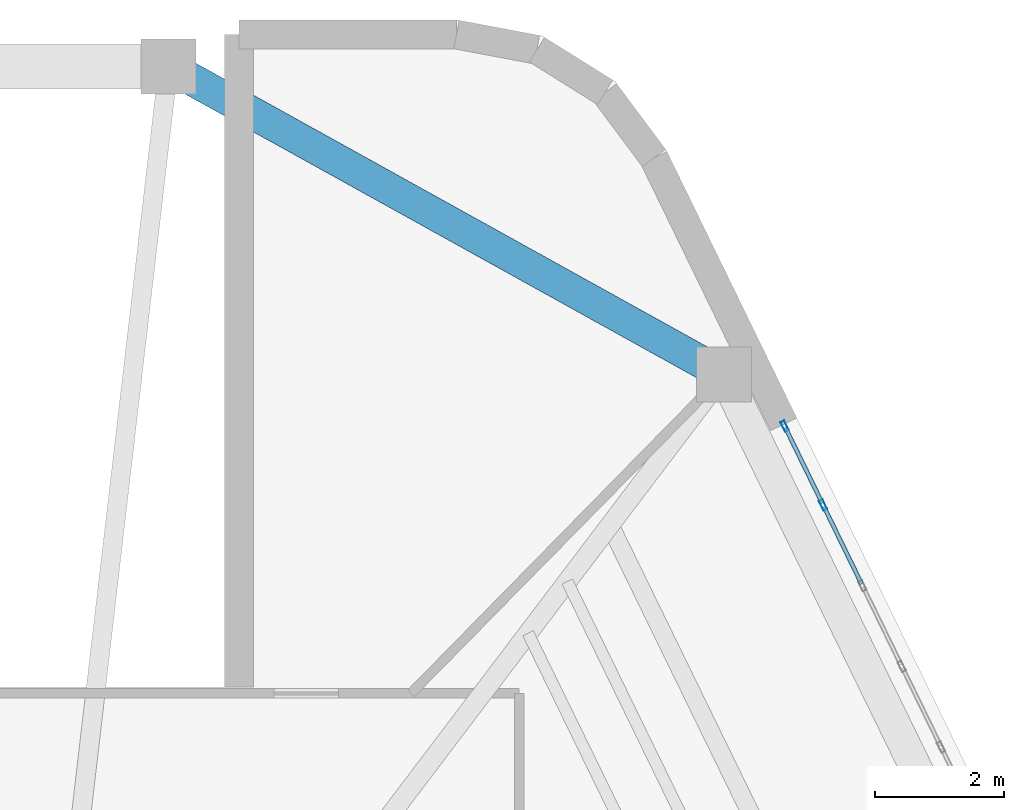
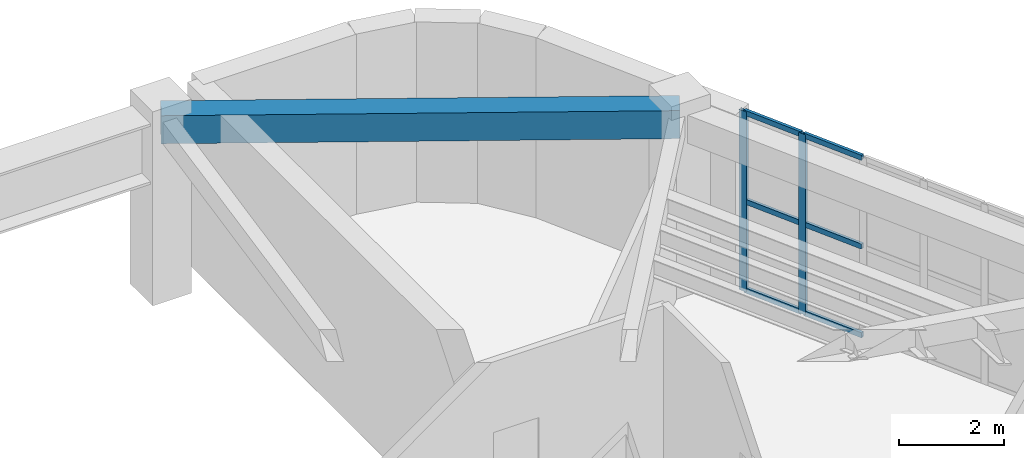
# One storey, part 9 of 15: 8 members, 1 beam, 1 element without a shape of its own.
"""IFC4 building model written with IfcOpenShell, lengths in metres."""

from ifc_helpers import new_model, si_unit, direction, frame, origin, origin_2d, place, context, subcontext, project, spatial, rectangle, hollow_rectangle, extrude, material, layer, layer_set, material_profile, profile_set, type_object, element, aggregate, save


model = new_model("IFC4")

# Units and contexts
model_context = context("Model", 3, precision=1e-05, world=origin(), true_north=direction((0.0, 1.0)))
body_context = subcontext(model_context, "Body", "Model", "MODEL_VIEW")
ifc_project = project(units=[si_unit("LENGTHUNIT", "METRE"), si_unit("AREAUNIT", "SQUARE_METRE"), si_unit("VOLUMEUNIT", "CUBIC_METRE"), si_unit("PLANEANGLEUNIT", "RADIAN"), si_unit("MASSUNIT", "GRAM", prefix="KILO")], contexts=[model_context])

# Site, building, storey
site_placement = place(None, origin())
site = spatial("IfcSite", under=ifc_project, at=site_placement, CompositionType="ELEMENT")
building_placement = place(site_placement, origin())
building = spatial("IfcBuilding", under=site, at=building_placement, Name="Kilnhurst Terrace Hotel", CompositionType="ELEMENT")
storey_placement = place(building_placement, frame((0.0, 0.0, 293.10009765625)))
storey = spatial("IfcBuildingStorey", under=building, at=storey_placement, Name="L73", CompositionType="ELEMENT", Elevation=293.10009765625)

# Beam
ifc_material_1 = material(Name="Concrete C50/60", Category="concrete")
ifc_material_profile_1 = material_profile(ifc_material_1, rectangle(XDim=0.5, YDim=0.64990234375, at=origin_2d()), Name="RC500X650")
ifc_profile_set_1 = profile_set([ifc_material_profile_1], Name="Concrete C50/60")
beam_type = type_object("IfcBeamType", Name="BM-SPN-500X650", PredefinedType="SPANDREL", material=ifc_profile_set_1)
beam_placement = place(storey_placement, frame((14.531005859375, 14.798095703125, 3.85498046875), z_axis=(-0.874527255888, 0.484976369227, 0.0), x_axis=(-0.484976369227, -0.874527255888, 0.0)))
element("IfcBeam", 1, at=beam_placement, inside=storey, type_object=beam_type, Name="L73 Perimeter Spandrel Beam 6", PredefinedType="SPANDREL", context=body_context, shape_type="SweptSolid", body=[
    extrude(rectangle(XDim=0.5, YDim=0.64990234375, at=origin_2d()), origin(), (0.0, 0.0, 1.0), 9.8603515625),
])

# Curtain wall, members
ifc_material_2 = material(Name="Anodized Aluminium Alloy 6063-T6 and Low-E Glass", Category="aluminium")
ifc_layer = layer(ifc_material_2, 0.219970703125, Name="Anodized Aluminium Alloy 6063-T6 and Low-E Glass")
ifc_layer_set = layer_set([ifc_layer], Name="Anodized Aluminium Alloy 6063-T6 and Low-E Glass")
curtain_wall_type = type_object("IfcCurtainWallType", Name="CW-PORTAL-L72", PredefinedType="NOTDEFINED", material=ifc_layer_set)
curtain_wall_placement = place(storey_placement, origin())
curtain_wall = element("IfcCurtainWall", 2, at=curtain_wall_placement, inside=storey, type_object=curtain_wall_type, Name="L73 Curtain Wall CW-L73-F3-1", PredefinedType="NOTDEFINED")
ifc_material_3 = material(Name="Extruded Aluminium Alloy 6063-T6", Category="aluminium")
ifc_material_profile_2 = material_profile(ifc_material_3, hollow_rectangle(XDim=0.06494140625, YDim=0.1650390625, WallThickness=0.00341796875, at=origin_2d()), Name="CWM65X165")
ifc_profile_set_2 = profile_set([ifc_material_profile_2], Name="Extruded Aluminium Alloy 6063-T6")
member_type_1 = type_object("IfcMemberType", Name="MEM-CWM65X165", PredefinedType="MULLION", material=ifc_profile_set_2)
member_1_placement = place(storey_placement, frame((16.068115234375, 12.7734375, 0.0), z_axis=(0.0, 0.0, 1.0), x_axis=(-0.898911852101, -0.438129526683, 0.0)))
member_1 = element("IfcMember", 3, at=member_1_placement, type_object=member_type_1, Name="CWP-5 mullion 6", PredefinedType="MULLION", context=body_context, shape_type="SweptSolid", body=[
    extrude(hollow_rectangle(XDim=0.06494140625, YDim=0.1650390625, WallThickness=0.00341796875, at=origin_2d()), origin(), (0.0, 0.0, 1.0), 4.179931640625),
])
member_2_placement = place(storey_placement, frame((15.471923828125, 13.996826171875, 0.0), z_axis=(0.0, 0.0, 1.0), x_axis=(-0.898911852101, -0.438129526683, 0.0)))
member_2 = element("IfcMember", 4, at=member_2_placement, type_object=member_type_1, Name="CWP-5 mullion 7", PredefinedType="MULLION", context=body_context, shape_type="SweptSolid", body=[
    extrude(hollow_rectangle(XDim=0.06494140625, YDim=0.1650390625, WallThickness=0.00341796875, at=origin_2d()), origin(), (0.0, 0.0, 1.0), 4.179931640625),
])
ifc_material_profile_3 = material_profile(ifc_material_3, hollow_rectangle(XDim=0.06494140625, YDim=0.1201171875, WallThickness=0.00341796875, at=origin_2d()), Name="CWT65X120")
ifc_profile_set_3 = profile_set([ifc_material_profile_3], Name="Extruded Aluminium Alloy 6063-T6")
member_type_2 = type_object("IfcMemberType", Name="MEM-CWT65X120", PredefinedType="USERDEFINED", material=ifc_profile_set_3)
member_3_placement = place(storey_placement, frame((16.664306640625, 11.550048828125, 0.032470703125), z_axis=(-0.43814841658, 0.898902644922, 0.0), x_axis=(-0.898902644922, -0.43814841658, 0.0)))
member_3 = element("IfcMember", 5, at=member_3_placement, type_object=member_type_2, Name="CWP-5 transom 5.1", ObjectType="TRANSOM", PredefinedType="USERDEFINED", context=body_context, shape_type="SweptSolid", body=[
    extrude(hollow_rectangle(XDim=0.06494140625, YDim=0.1201171875, WallThickness=0.00341796875, at=origin_2d()), origin(), (0.0, 0.0, 1.0), 1.328369140625),
])
member_4_placement = place(storey_placement, frame((16.664306640625, 11.550048828125, 2.08984375), z_axis=(-0.43814841658, 0.898902644922, 0.0), x_axis=(-0.898902644922, -0.43814841658, 0.0)))
member_4 = element("IfcMember", 6, at=member_4_placement, type_object=member_type_2, Name="CWP-5 transom 5.2", ObjectType="TRANSOM", PredefinedType="USERDEFINED", context=body_context, shape_type="SweptSolid", body=[
    extrude(hollow_rectangle(XDim=0.06494140625, YDim=0.1201171875, WallThickness=0.00341796875, at=origin_2d()), origin(), (0.0, 0.0, 1.0), 1.328369140625),
])
member_5_placement = place(storey_placement, frame((16.664306640625, 11.550048828125, 4.1474609375), z_axis=(-0.43814841658, 0.898902644922, 0.0), x_axis=(-0.898902644922, -0.43814841658, 0.0)))
member_5 = element("IfcMember", 7, at=member_5_placement, type_object=member_type_2, Name="CWP-5 transom 5.3", ObjectType="TRANSOM", PredefinedType="USERDEFINED", context=body_context, shape_type="SweptSolid", body=[
    extrude(hollow_rectangle(XDim=0.06494140625, YDim=0.1201171875, WallThickness=0.00341796875, at=origin_2d()), origin(), (0.0, 0.0, 1.0), 1.328369140625),
])
member_6_placement = place(storey_placement, frame((16.053955078125, 12.802734375, 0.032470703125), z_axis=(-0.43814897674, 0.898902371885, 0.0), x_axis=(-0.898902371885, -0.43814897674, 0.0)))
member_6 = element("IfcMember", 8, at=member_6_placement, type_object=member_type_2, Name="CWP-5 transom 6.1", ObjectType="TRANSOM", PredefinedType="USERDEFINED", context=body_context, shape_type="SweptSolid", body=[
    extrude(hollow_rectangle(XDim=0.06494140625, YDim=0.1201171875, WallThickness=0.00341796875, at=origin_2d()), origin(), (0.0, 0.0, 1.0), 1.296142578125),
])
member_7_placement = place(storey_placement, frame((16.053955078125, 12.802734375, 2.08984375), z_axis=(-0.43814897674, 0.898902371885, 0.0), x_axis=(-0.898902371885, -0.43814897674, 0.0)))
member_7 = element("IfcMember", 9, at=member_7_placement, type_object=member_type_2, Name="CWP-5 transom 6.2", ObjectType="TRANSOM", PredefinedType="USERDEFINED", context=body_context, shape_type="SweptSolid", body=[
    extrude(hollow_rectangle(XDim=0.06494140625, YDim=0.1201171875, WallThickness=0.00341796875, at=origin_2d()), origin(), (0.0, 0.0, 1.0), 1.296142578125),
])
member_8_placement = place(storey_placement, frame((16.053955078125, 12.802734375, 4.1474609375), z_axis=(-0.43814897674, 0.898902371885, 0.0), x_axis=(-0.898902371885, -0.43814897674, 0.0)))
member_8 = element("IfcMember", 10, at=member_8_placement, type_object=member_type_2, Name="CWP-5 transom 6.3", ObjectType="TRANSOM", PredefinedType="USERDEFINED", context=body_context, shape_type="SweptSolid", body=[
    extrude(hollow_rectangle(XDim=0.06494140625, YDim=0.1201171875, WallThickness=0.00341796875, at=origin_2d()), origin(), (0.0, 0.0, 1.0), 1.296142578125),
])
aggregate(curtain_wall, [member_1, member_2, member_3, member_4, member_5, member_6, member_7, member_8])

save(model, "model.ifc")
